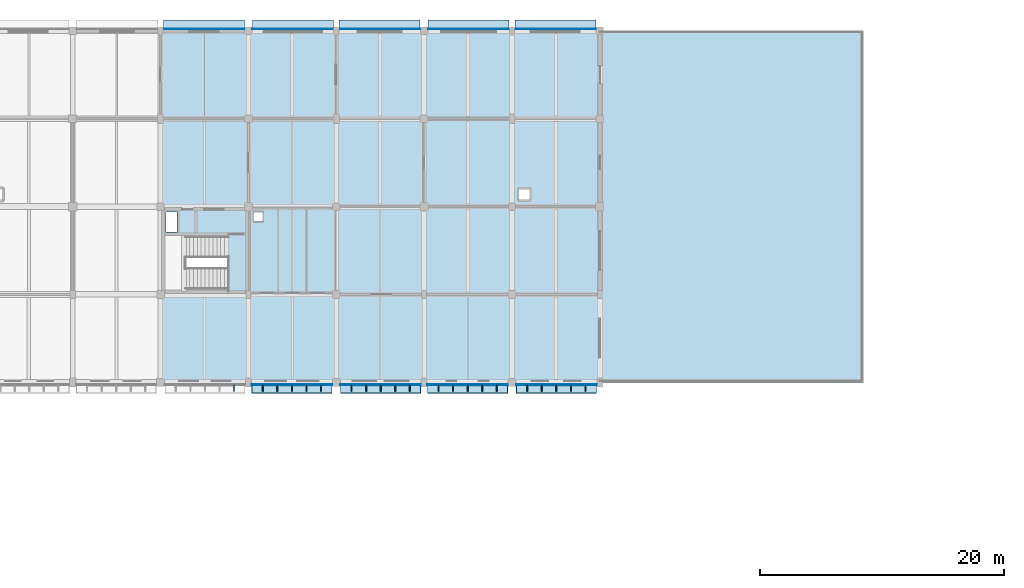
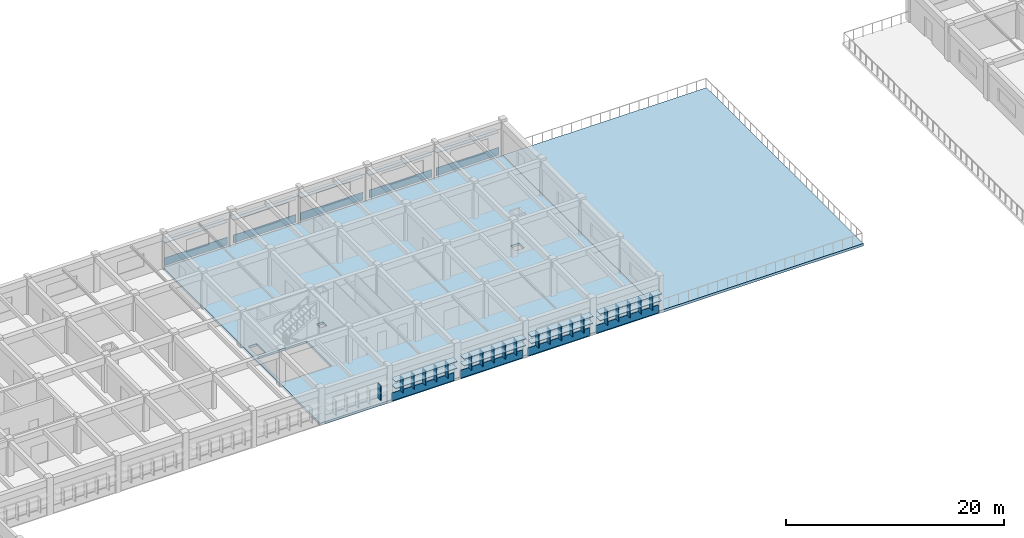
# One storey, part 17 of 38: 43 plates, 2 slabs.
"""IFC4 building model written with IfcOpenShell, lengths in metres."""

from ifc_helpers import new_model, si_unit, direction, frame, origin, origin_2d, place, context, subcontext, project, spatial, polyline, rectangle, outline, extrude, material, layer, layer_set, type_object, element, save


model = new_model("IFC4")

# Units and contexts
model_context = context("Model", 3, precision=1e-05, world=origin(), true_north=direction((0.0, 1.0)))
body_context = subcontext(model_context, "Body", "Model", "MODEL_VIEW")
ifc_project = project(units=[si_unit("LENGTHUNIT", "METRE"), si_unit("AREAUNIT", "SQUARE_METRE"), si_unit("VOLUMEUNIT", "CUBIC_METRE"), si_unit("PLANEANGLEUNIT", "RADIAN"), si_unit("MASSUNIT", "GRAM", prefix="KILO")], contexts=[model_context])

# Site, building, storey
site_placement = place(None, origin())
site = spatial("IfcSite", under=ifc_project, at=site_placement, CompositionType="ELEMENT")
building_placement = place(site_placement, origin())
building = spatial("IfcBuilding", under=site, at=building_placement, Name="Thalmaran Polytechnic", CompositionType="ELEMENT")
storey_placement = place(building_placement, frame((0.0, 0.0, 18.60009765625)))
storey = spatial("IfcBuildingStorey", under=building, at=storey_placement, Name="L04", CompositionType="ELEMENT", Elevation=18.60009765625)

# Plates
ifc_material_1 = material(Name="Anodised aluminium spandrel band", Category="aluminium")
ifc_layer_1 = layer(ifc_material_1, 0.054931640625, Name="Anodised aluminium spandrel band")
ifc_layer_set_1 = layer_set([ifc_layer_1], Name="Anodised aluminium spandrel band")
plate_type_1 = type_object("IfcPlateType", Name="PT-BD01", PredefinedType="SHEET", material=ifc_layer_set_1)
for number, where, z_axis, x_axis, name in (
    (1, (61.14990234375, 122.570068359375, 0.02001953125), (0.0, 0.0, 1.0), (1.0, 0.0, 0.0), "Streamline Horizontal Spandrel Band L04-060"),
    (2, (68.449951171875, 122.570068359375, 0.02001953125), (0.0, 0.0, 1.0), (1.0, 0.0, 0.0), "Streamline Horizontal Spandrel Band L04-061"),
    (3, (75.550048828125, 122.570068359375, 0.02001953125), (0.0, 0.0, 1.0), (1.0, 0.0, 0.0), "Streamline Horizontal Spandrel Band L04-062"),
    (4, (82.85009765625, 122.570068359375, 0.02001953125), (0.0, 0.0, 1.0), (1.0, 0.0, 0.0), "Streamline Horizontal Spandrel Band L04-063"),
    (5, (89.949951171875, 122.570068359375, 0.02001953125), (0.0, 0.0, 1.0), (1.0, 0.0, 0.0), "Streamline Horizontal Spandrel Band L04-064"),
):
    element("IfcPlate", number, at=place(storey_placement, frame(where, z_axis=z_axis, x_axis=x_axis)), inside=storey, type_object=plate_type_1, Name=name, PredefinedType="SHEET", context=body_context, shape_type="SweptSolid", body=[
        extrude(rectangle(XDim=6.639892578125, YDim=0.054931640625, at=origin_2d()), origin(), (0.0, 0.0, 1.0), 0.8798828125),
    ])
for number, where, z_axis, x_axis, name in (
    (6, (90.03759765625, 93.405029296875, 0.02001953125), (0.0, 0.0, 1.0), (-1.0, 0.0, 0.0), "Streamline Horizontal Spandrel Band L04-069"),
    (7, (82.762451171875, 93.405029296875, 0.02001953125), (0.0, 0.0, 1.0), (-1.0, 0.0, 0.0), "Streamline Horizontal Spandrel Band L04-070"),
    (8, (75.637451171875, 93.405029296875, 0.02001953125), (0.0, 0.0, 1.0), (-1.0, 0.0, 0.0), "Streamline Horizontal Spandrel Band L04-071"),
    (9, (68.362548828125, 93.405029296875, 0.02001953125), (0.0, 0.0, 1.0), (-1.0, 0.0, 0.0), "Streamline Horizontal Spandrel Band L04-072"),
):
    element("IfcPlate", number, at=place(storey_placement, frame(where, z_axis=z_axis, x_axis=x_axis)), inside=storey, type_object=plate_type_1, Name=name, PredefinedType="SHEET", context=body_context, shape_type="SweptSolid", body=[
        extrude(rectangle(XDim=6.5849609375, YDim=0.054931640625, at=origin_2d()), origin(), (0.0, 0.0, 1.0), 0.8798828125),
    ])
ifc_material_2 = material(Name="Anodised aluminium sun-hood eyebrow", Category="aluminium")
ifc_layer_2 = layer(ifc_material_2, 0.0849609375, Name="Anodised aluminium sun-hood eyebrow")
ifc_layer_set_2 = layer_set([ifc_layer_2], Name="Anodised aluminium sun-hood eyebrow")
plate_type_2 = type_object("IfcPlateType", Name="PT-EB01", PredefinedType="SHEET", material=ifc_layer_set_2)
for number, where, z_axis, x_axis, name in (
    (10, (61.14990234375, 122.9150390625, 2.517333984375), (0.0, 0.0, 1.0), (1.0, 0.0, 0.0), "Streamline Sun-Hood Eyebrow L04-060"),
    (11, (68.449951171875, 122.9150390625, 2.517333984375), (0.0, 0.0, 1.0), (1.0, 0.0, 0.0), "Streamline Sun-Hood Eyebrow L04-061"),
    (12, (75.550048828125, 122.9150390625, 2.517333984375), (0.0, 0.0, 1.0), (1.0, 0.0, 0.0), "Streamline Sun-Hood Eyebrow L04-062"),
    (13, (82.85009765625, 122.9150390625, 2.517333984375), (0.0, 0.0, 1.0), (1.0, 0.0, 0.0), "Streamline Sun-Hood Eyebrow L04-063"),
    (14, (89.949951171875, 122.9150390625, 2.517333984375), (0.0, 0.0, 1.0), (1.0, 0.0, 0.0), "Streamline Sun-Hood Eyebrow L04-064"),
):
    element("IfcPlate", number, at=place(storey_placement, frame(where, z_axis=z_axis, x_axis=x_axis)), inside=storey, type_object=plate_type_2, Name=name, PredefinedType="SHEET", context=body_context, shape_type="SweptSolid", body=[
        extrude(rectangle(XDim=6.639892578125, YDim=0.760009765625, at=origin_2d()), origin(), (0.0, 0.0, 1.0), 0.0849609375),
    ])
plate_1_placement = place(storey_placement, frame((90.03759765625, 93.06005859375, 2.517333984375), z_axis=(0.0, 0.0, 1.0), x_axis=(-1.0, 0.0, 0.0)))
element("IfcPlate", 15, at=plate_1_placement, inside=storey, type_object=plate_type_2, Name="Streamline Sun-Hood Eyebrow L04-069", PredefinedType="SHEET", context=body_context, shape_type="SweptSolid", body=[
    extrude(rectangle(XDim=6.5849609375, YDim=0.760009765625, at=origin_2d()), origin(), (0.0, 0.0, 1.0), 0.0849609375),
])
plate_2_placement = place(storey_placement, frame((90.03759765625, 93.080078125, 1.7421875), z_axis=(0.0, 0.0, 1.0), x_axis=(-1.0, 0.0, 0.0)))
element("IfcPlate", 16, at=plate_2_placement, inside=storey, type_object=plate_type_2, Name="Abu Dhabi Horizontal Solar Louvre L04-069", PredefinedType="SHEET", context=body_context, shape_type="SweptSolid", body=[
    extrude(rectangle(XDim=6.544921875, YDim=0.719970703125, at=origin_2d()), origin(), (0.0, 0.0, 1.0), 0.074951171875),
])
plate_3_placement = place(storey_placement, frame((82.762451171875, 93.06005859375, 2.517333984375), z_axis=(0.0, 0.0, 1.0), x_axis=(-1.0, 0.0, 0.0)))
element("IfcPlate", 17, at=plate_3_placement, inside=storey, type_object=plate_type_2, Name="Streamline Sun-Hood Eyebrow L04-070", PredefinedType="SHEET", context=body_context, shape_type="SweptSolid", body=[
    extrude(rectangle(XDim=6.5849609375, YDim=0.760009765625, at=origin_2d()), origin(), (0.0, 0.0, 1.0), 0.0849609375),
])
plate_4_placement = place(storey_placement, frame((82.762451171875, 93.080078125, 1.7421875), z_axis=(0.0, 0.0, 1.0), x_axis=(-1.0, 0.0, 0.0)))
element("IfcPlate", 18, at=plate_4_placement, inside=storey, type_object=plate_type_2, Name="Abu Dhabi Horizontal Solar Louvre L04-070", PredefinedType="SHEET", context=body_context, shape_type="SweptSolid", body=[
    extrude(rectangle(XDim=6.544921875, YDim=0.719970703125, at=origin_2d()), origin(), (0.0, 0.0, 1.0), 0.074951171875),
])
plate_5_placement = place(storey_placement, frame((75.637451171875, 93.06005859375, 2.517333984375), z_axis=(0.0, 0.0, 1.0), x_axis=(-1.0, 0.0, 0.0)))
element("IfcPlate", 19, at=plate_5_placement, inside=storey, type_object=plate_type_2, Name="Streamline Sun-Hood Eyebrow L04-071", PredefinedType="SHEET", context=body_context, shape_type="SweptSolid", body=[
    extrude(rectangle(XDim=6.5849609375, YDim=0.760009765625, at=origin_2d()), origin(), (0.0, 0.0, 1.0), 0.0849609375),
])
plate_6_placement = place(storey_placement, frame((75.637451171875, 93.080078125, 1.7421875), z_axis=(0.0, 0.0, 1.0), x_axis=(-1.0, 0.0, 0.0)))
element("IfcPlate", 20, at=plate_6_placement, inside=storey, type_object=plate_type_2, Name="Abu Dhabi Horizontal Solar Louvre L04-071", PredefinedType="SHEET", context=body_context, shape_type="SweptSolid", body=[
    extrude(rectangle(XDim=6.544921875, YDim=0.719970703125, at=origin_2d()), origin(), (0.0, 0.0, 1.0), 0.074951171875),
])
plate_7_placement = place(storey_placement, frame((68.362548828125, 93.06005859375, 2.517333984375), z_axis=(0.0, 0.0, 1.0), x_axis=(-1.0, 0.0, 0.0)))
element("IfcPlate", 21, at=plate_7_placement, inside=storey, type_object=plate_type_2, Name="Streamline Sun-Hood Eyebrow L04-072", PredefinedType="SHEET", context=body_context, shape_type="SweptSolid", body=[
    extrude(rectangle(XDim=6.5849609375, YDim=0.760009765625, at=origin_2d()), origin(), (0.0, 0.0, 1.0), 0.0849609375),
])
plate_8_placement = place(storey_placement, frame((68.362548828125, 93.080078125, 1.7421875), z_axis=(0.0, 0.0, 1.0), x_axis=(-1.0, 0.0, 0.0)))
element("IfcPlate", 22, at=plate_8_placement, inside=storey, type_object=plate_type_2, Name="Abu Dhabi Horizontal Solar Louvre L04-072", PredefinedType="SHEET", context=body_context, shape_type="SweptSolid", body=[
    extrude(rectangle(XDim=6.544921875, YDim=0.719970703125, at=origin_2d()), origin(), (0.0, 0.0, 1.0), 0.074951171875),
])
ifc_material_3 = material(Name="Anodised bronze brise-soleil fin")
ifc_layer_3 = layer(ifc_material_3, 0.06494140625, Name="Anodised bronze brise-soleil fin")
ifc_layer_set_3 = layer_set([ifc_layer_3], Name="Anodised bronze brise-soleil fin")
plate_type_3 = type_object("IfcPlateType", Name="PT-FN01", PredefinedType="SHEET", material=ifc_layer_set_3)
for number, where, z_axis, x_axis, name in (
    (23, (92.422607421875, 93.139892578125, 0.89501953125), (0.0, 0.0, 1.0), (-1.0, 0.0, 0.0), "Abu Dhabi Solar Brise-Soleil Fin L04-069-1"),
    (24, (91.22998046875, 93.139892578125, 0.89501953125), (0.0, 0.0, 1.0), (-1.0, 0.0, 0.0), "Abu Dhabi Solar Brise-Soleil Fin L04-069-2"),
    (25, (90.03759765625, 93.139892578125, 0.89501953125), (0.0, 0.0, 1.0), (-1.0, 0.0, 0.0), "Abu Dhabi Solar Brise-Soleil Fin L04-069-3"),
    (26, (88.844970703125, 93.139892578125, 0.89501953125), (0.0, 0.0, 1.0), (-1.0, 0.0, 0.0), "Abu Dhabi Solar Brise-Soleil Fin L04-069-4"),
    (27, (87.652587890625, 93.139892578125, 0.89501953125), (0.0, 0.0, 1.0), (-1.0, 0.0, 0.0), "Abu Dhabi Solar Brise-Soleil Fin L04-069-5"),
    (28, (85.1474609375, 93.139892578125, 0.89501953125), (0.0, 0.0, 1.0), (-1.0, 0.0, 0.0), "Abu Dhabi Solar Brise-Soleil Fin L04-070-1"),
    (29, (83.955078125, 93.139892578125, 0.89501953125), (0.0, 0.0, 1.0), (-1.0, 0.0, 0.0), "Abu Dhabi Solar Brise-Soleil Fin L04-070-2"),
    (30, (82.762451171875, 93.139892578125, 0.89501953125), (0.0, 0.0, 1.0), (-1.0, 0.0, 0.0), "Abu Dhabi Solar Brise-Soleil Fin L04-070-3"),
    (31, (81.570068359375, 93.139892578125, 0.89501953125), (0.0, 0.0, 1.0), (-1.0, 0.0, 0.0), "Abu Dhabi Solar Brise-Soleil Fin L04-070-4"),
    (32, (80.37744140625, 93.139892578125, 0.89501953125), (0.0, 0.0, 1.0), (-1.0, 0.0, 0.0), "Abu Dhabi Solar Brise-Soleil Fin L04-070-5"),
    (33, (78.0224609375, 93.139892578125, 0.89501953125), (0.0, 0.0, 1.0), (-1.0, 0.0, 0.0), "Abu Dhabi Solar Brise-Soleil Fin L04-071-1"),
    (34, (76.830078125, 93.139892578125, 0.89501953125), (0.0, 0.0, 1.0), (-1.0, 0.0, 0.0), "Abu Dhabi Solar Brise-Soleil Fin L04-071-2"),
    (35, (75.637451171875, 93.139892578125, 0.89501953125), (0.0, 0.0, 1.0), (-1.0, 0.0, 0.0), "Abu Dhabi Solar Brise-Soleil Fin L04-071-3"),
    (36, (74.445068359375, 93.139892578125, 0.89501953125), (0.0, 0.0, 1.0), (-1.0, 0.0, 0.0), "Abu Dhabi Solar Brise-Soleil Fin L04-071-4"),
    (37, (73.25244140625, 93.139892578125, 0.89501953125), (0.0, 0.0, 1.0), (-1.0, 0.0, 0.0), "Abu Dhabi Solar Brise-Soleil Fin L04-071-5"),
    (38, (70.74755859375, 93.139892578125, 0.89501953125), (0.0, 0.0, 1.0), (-1.0, 0.0, 0.0), "Abu Dhabi Solar Brise-Soleil Fin L04-072-1"),
    (39, (69.554931640625, 93.139892578125, 0.89501953125), (0.0, 0.0, 1.0), (-1.0, 0.0, 0.0), "Abu Dhabi Solar Brise-Soleil Fin L04-072-2"),
    (40, (68.362548828125, 93.139892578125, 0.89501953125), (0.0, 0.0, 1.0), (-1.0, 0.0, 0.0), "Abu Dhabi Solar Brise-Soleil Fin L04-072-3"),
    (41, (67.169921875, 93.139892578125, 0.89501953125), (0.0, 0.0, 1.0), (-1.0, 0.0, 0.0), "Abu Dhabi Solar Brise-Soleil Fin L04-072-4"),
    (42, (65.9775390625, 93.139892578125, 0.89501953125), (0.0, 0.0, 1.0), (-1.0, 0.0, 0.0), "Abu Dhabi Solar Brise-Soleil Fin L04-072-5"),
    (43, (63.62255859375, 93.139892578125, 0.89501953125), (0.0, 0.0, 1.0), (-1.0, 0.0, 0.0), "Abu Dhabi Solar Brise-Soleil Fin L04-073-1"),
):
    element("IfcPlate", number, at=place(storey_placement, frame(where, z_axis=z_axis, x_axis=x_axis)), inside=storey, type_object=plate_type_3, Name=name, PredefinedType="SHEET", context=body_context, shape_type="SweptSolid", body=[
        extrude(rectangle(XDim=0.06494140625, YDim=0.56005859375, at=origin_2d()), origin(), (0.0, 0.0, 1.0), 1.64990234375),
    ])

# Slabs
ifc_material_4 = material(Name="Concrete C40/50", Category="concrete")
ifc_layer_4 = layer(ifc_material_4, 0.260009765625, Name="Concrete C40/50")
ifc_layer_set_4 = layer_set([ifc_layer_4], Name="Concrete C40/50")
slab_type_1 = type_object("IfcSlabType", Name="SL-FL06", PredefinedType="FLOOR", material=ifc_layer_set_4)
slab_1_placement = place(storey_placement, frame((0.0, 0.0, -0.260009765625)))
element("IfcSlab", 44, at=slab_1_placement, inside=storey, type_object=slab_type_1, Name="V2E L04 Structural Slab", PredefinedType="FLOOR", context=body_context, shape_type="SweptSolid", body=[
    extrude(outline(polyline([(79.199951171875, 122.39990234375), (86.39990234375, 122.39990234375), (93.60009765625, 122.39990234375), (93.60009765625, 115.199951171875), (93.60009765625, 108.0), (93.60009765625, 100.800048828125), (93.60009765625, 93.60009765625), (86.39990234375, 93.60009765625), (79.199951171875, 93.60009765625), (72.0, 93.60009765625), (64.800048828125, 93.60009765625), (57.60009765625, 93.60009765625), (57.60009765625, 100.800048828125), (57.60009765625, 108.0), (57.60009765625, 115.199951171875), (57.60009765625, 122.39990234375), (64.800048828125, 122.39990234375), (72.0, 122.39990234375), (79.199951171875, 122.39990234375)]), holes=[polyline([(87.85009765625, 109.449951171875), (86.949951171875, 109.449951171875), (86.949951171875, 108.550048828125), (87.85009765625, 108.550048828125), (87.85009765625, 109.449951171875)]), polyline([(65.25, 107.530029296875), (65.25, 106.830078125), (65.949951171875, 106.830078125), (65.949951171875, 107.530029296875), (65.25, 107.530029296875)]), polyline([(63.1201171875, 101.050048828125), (63.1201171875, 105.639892578125), (57.85009765625, 105.639892578125), (57.85009765625, 101.050048828125), (63.1201171875, 101.050048828125)]), polyline([(58.0400390625, 105.93994140625), (58.9599609375, 105.93994140625), (58.9599609375, 107.56005859375), (58.0400390625, 107.56005859375), (58.0400390625, 105.93994140625)])]), origin(), (0.0, 0.0, 1.0), 0.260009765625),
])
ifc_layer_5 = layer(ifc_material_4, 0.284912109375, Name="Concrete C40/50")
ifc_layer_set_5 = layer_set([ifc_layer_5], Name="Concrete C40/50")
slab_type_2 = type_object("IfcSlabType", Name="SL-TR01", PredefinedType="FLOOR", material=ifc_layer_set_5)
slab_2_placement = place(storey_placement, frame((0.0, 0.0, -0.28515625)))
element("IfcSlab", 45, at=slab_2_placement, inside=storey, type_object=slab_type_2, Name="V2 L04 Outdoor Terrace Slab", PredefinedType="FLOOR", context=body_context, shape_type="SweptSolid", body=[
    extrude(outline(polyline([(93.60009765625, 108.0), (93.60009765625, 115.199951171875), (93.60009765625, 122.39990234375), (100.800048828125, 122.39990234375), (108.0, 122.39990234375), (115.199951171875, 122.39990234375), (115.199951171875, 115.199951171875), (115.199951171875, 108.0), (115.199951171875, 100.800048828125), (115.199951171875, 93.60009765625), (108.0, 93.60009765625), (100.800048828125, 93.60009765625), (93.60009765625, 93.60009765625), (93.60009765625, 100.800048828125), (93.60009765625, 108.0)])), origin(), (0.0, 0.0, 1.0), 0.28515625),
])

save(model, "model.ifc")
